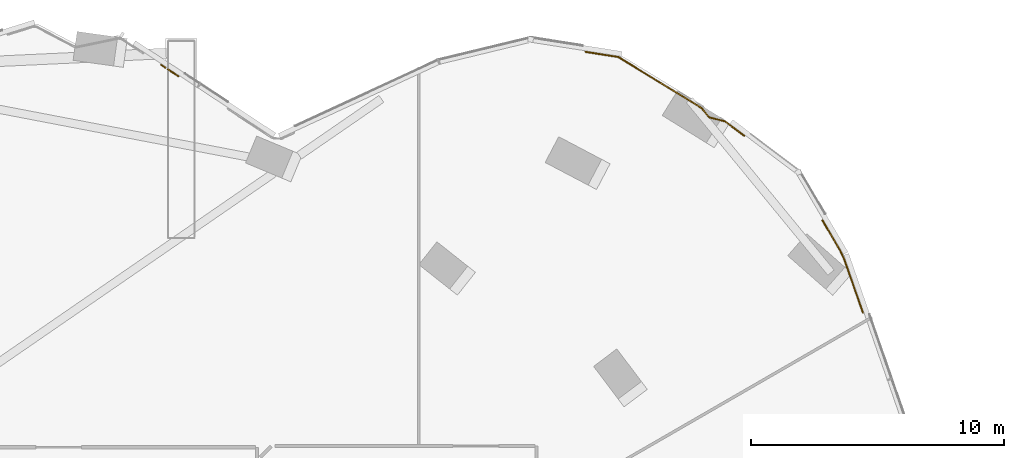
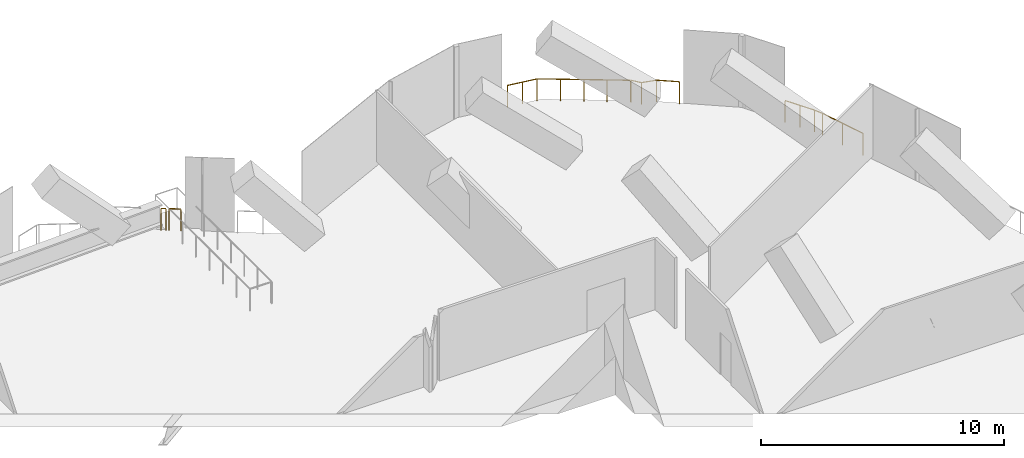
# One storey, part 26 of 26: 6 railings.
"""IFC4 building model written with IfcOpenShell, lengths in metres."""

from ifc_helpers import new_model, si_unit, direction, frame, origin, origin_2d, place, context, subcontext, project, spatial, circle, extrude, material, type_object, element, save


model = new_model("IFC4")

# Units and contexts
model_context = context("Model", 3, precision=1e-05, world=origin(), true_north=direction((0.0, 1.0)))
body_context = subcontext(model_context, "Body", "Model", "MODEL_VIEW")
ifc_project = project(units=[si_unit("LENGTHUNIT", "METRE"), si_unit("AREAUNIT", "SQUARE_METRE"), si_unit("VOLUMEUNIT", "CUBIC_METRE"), si_unit("PLANEANGLEUNIT", "RADIAN"), si_unit("MASSUNIT", "GRAM", prefix="KILO")], contexts=[model_context])

# Site, building, storey
site_placement = place(None, origin())
site = spatial("IfcSite", under=ifc_project, at=site_placement, CompositionType="ELEMENT")
building_placement = place(site_placement, origin())
building = spatial("IfcBuilding", under=site, at=building_placement, Name="Orlundy Tower", CompositionType="ELEMENT")
storey_placement = place(building_placement, frame((0.0, 0.0, 249.5)))
storey = spatial("IfcBuildingStorey", under=building, at=storey_placement, Name="L66", CompositionType="ELEMENT", Elevation=249.5)

# Railings
ifc_material = material(Name="Stainless steel bronze finish", Category="steel")
railing_type = type_object("IfcRailingType", Name="TG1 terrace guard", PredefinedType="GUARDRAIL", material=ifc_material)
railing_1_placement = place(storey_placement, frame((24.590087890625, 31.2412109375, 0.0)))
element("IfcRailing", 1, at=railing_1_placement, inside=storey, type_object=railing_type, Name="Guard TG-L66-E08", PredefinedType="GUARDRAIL", context=body_context, shape_type="SweptSolid", body=[
    extrude(circle(Radius=0.02490234375, at=origin_2d()), frame((0.0, 0.0, 1.09521484375), z_axis=(0.987902775495, -0.155074518118, 0.0), x_axis=(0.155074518118, 0.987902775495, 0.0)), (0.0, 0.0, 1.0), 1.31298828125),
    extrude(circle(Radius=0.02490234375, at=origin_2d()), frame((1.297119140625, -0.20361328125, 1.09521484375), z_axis=(0.852590323736, -0.522579888506, 0.0), x_axis=(0.522579888506, 0.852590323736, 0.0)), (0.0, 0.0, 1.0), 3.852783203125),
    extrude(circle(Radius=0.02001953125, at=origin_2d()), origin(), (0.0, 0.0, 1.0), 1.070068359375),
    extrude(circle(Radius=0.02001953125, at=origin_2d()), frame((0.6484375, -0.101806640625, 0.0)), (0.0, 0.0, 1.0), 1.070068359375),
    extrude(circle(Radius=0.02001953125, at=origin_2d()), frame((1.297119140625, -0.20361328125, 0.0)), (0.0, 0.0, 1.0), 1.070068359375),
    extrude(circle(Radius=0.02001953125, at=origin_2d()), frame((2.118408203125, -0.70703125, 0.0)), (0.0, 0.0, 1.0), 1.070068359375),
    extrude(circle(Radius=0.02001953125, at=origin_2d()), frame((2.939453125, -1.21044921875, 0.0)), (0.0, 0.0, 1.0), 1.070068359375),
    extrude(circle(Radius=0.02001953125, at=origin_2d()), frame((3.7607421875, -1.713623046875, 0.0)), (0.0, 0.0, 1.0), 1.070068359375),
    extrude(circle(Radius=0.02001953125, at=origin_2d()), frame((4.58203125, -2.217041015625, 0.0)), (0.0, 0.0, 1.0), 1.070068359375),
])
railing_2_placement = place(storey_placement, frame((33.961181640625, 24.577880859375, 0.0)))
element("IfcRailing", 2, at=railing_2_placement, inside=storey, type_object=railing_type, Name="Guard TG-L66-E011", PredefinedType="GUARDRAIL", context=body_context, shape_type="SweptSolid", body=[
    extrude(circle(Radius=0.02490234375, at=origin_2d()), frame((0.0, 0.0, 1.09521484375), z_axis=(0.506366442109, -0.862318401929, 0.0), x_axis=(0.862318401929, 0.506366442109, 0.0)), (0.0, 0.0, 1.0), 1.404052734375),
    extrude(circle(Radius=0.02490234375, at=origin_2d()), frame((0.7109375, -1.210693359375, 1.09521484375), z_axis=(0.419732416604, -0.907647893432, 0.0), x_axis=(0.907647893432, 0.419732416604, 0.0)), (0.0, 0.0, 1.0), 0.390380859375),
    extrude(circle(Radius=0.02490234375, at=origin_2d()), frame((0.874755859375, -1.56494140625, 1.09521484375), z_axis=(0.328233513055, -0.944596612797, 0.0), x_axis=(0.944596612797, 0.328233513055, 0.0)), (0.0, 0.0, 1.0), 2.209716796875),
    extrude(circle(Radius=0.02001953125, at=origin_2d()), origin(), (0.0, 0.0, 1.0), 1.070068359375),
    extrude(circle(Radius=0.02001953125, at=origin_2d()), frame((0.35546875, -0.60546875, 0.0)), (0.0, 0.0, 1.0), 1.070068359375),
    extrude(circle(Radius=0.02001953125, at=origin_2d()), frame((0.7109375, -1.210693359375, 0.0)), (0.0, 0.0, 1.0), 1.070068359375),
    extrude(circle(Radius=0.02001953125, at=origin_2d()), frame((0.874755859375, -1.56494140625, 0.0)), (0.0, 0.0, 1.0), 1.070068359375),
    extrude(circle(Radius=0.02001953125, at=origin_2d()), frame((1.2373046875, -2.608642578125, 0.0)), (0.0, 0.0, 1.0), 1.070068359375),
    extrude(circle(Radius=0.02001953125, at=origin_2d()), frame((1.60009765625, -3.65234375, 0.0)), (0.0, 0.0, 1.0), 1.070068359375),
])
railing_3_placement = place(storey_placement, frame((29.476806640625, 28.65087890625, 0.0)))
element("IfcRailing", 3, at=railing_3_placement, inside=storey, type_object=railing_type, Name="Guard TG-L66-E024", PredefinedType="GUARDRAIL", context=body_context, shape_type="SweptSolid", body=[
    extrude(circle(Radius=0.02490234375, at=origin_2d()), frame((0.0, 0.0, 1.09521484375), z_axis=(0.970384353095, -0.241566155055, 0.0), x_axis=(0.241566155055, 0.970384353095, 0.0)), (0.0, 0.0, 1.0), 0.65185546875),
    extrude(circle(Radius=0.02490234375, at=origin_2d()), frame((0.632568359375, -0.157470703125, 1.09521484375), z_axis=(0.797831538558, -0.602880449246, 0.0), x_axis=(0.602880449246, 0.797831538558, 0.0)), (0.0, 0.0, 1.0), 0.947998046875),
    extrude(circle(Radius=0.02001953125, at=origin_2d()), origin(), (0.0, 0.0, 1.0), 1.070068359375),
    extrude(circle(Radius=0.02001953125, at=origin_2d()), frame((0.632568359375, -0.157470703125, 0.0)), (0.0, 0.0, 1.0), 1.070068359375),
    extrude(circle(Radius=0.02001953125, at=origin_2d()), frame((1.388916015625, -0.72900390625, 0.0)), (0.0, 0.0, 1.0), 1.070068359375),
])
railing_4_placement = place(storey_placement, frame((8.07373046875, 30.549072265625, 0.0)))
element("IfcRailing", 4, at=railing_4_placement, inside=storey, type_object=railing_type, Name="Guard TG-L66-E028", PredefinedType="GUARDRAIL", context=body_context, shape_type="SweptSolid", body=[
    extrude(circle(Radius=0.02490234375, at=origin_2d()), frame((0.0, 0.0, 1.09521484375), z_axis=(0.835564571687, -0.549392251986, 0.0), x_axis=(0.549392251986, 0.835564571687, 0.0)), (0.0, 0.0, 1.0), 0.5),
    extrude(circle(Radius=0.02001953125, at=origin_2d()), origin(), (0.0, 0.0, 1.0), 1.070068359375),
    extrude(circle(Radius=0.02001953125, at=origin_2d()), frame((0.417724609375, -0.274658203125, 0.0)), (0.0, 0.0, 1.0), 1.070068359375),
])
railing_5_placement = place(storey_placement, frame((29.1923828125, 29.01171875, 0.0)))
element("IfcRailing", 5, at=railing_5_placement, inside=storey, type_object=railing_type, Name="Guard TG-L66-E029", PredefinedType="GUARDRAIL", context=body_context, shape_type="SweptSolid", body=[
    extrude(circle(Radius=0.02490234375, at=origin_2d()), frame((0.0, 0.0, 1.09521484375), z_axis=(0.619041105323, -0.785358586838, 0.0), x_axis=(0.785358586838, 0.619041105323, 0.0)), (0.0, 0.0, 1.0), 0.45947265625),
    extrude(circle(Radius=0.02001953125, at=origin_2d()), origin(), (0.0, 0.0, 1.0), 1.070068359375),
    extrude(circle(Radius=0.02001953125, at=origin_2d()), frame((0.284423828125, -0.36083984375, 0.0)), (0.0, 0.0, 1.0), 1.070068359375),
])
railing_6_placement = place(storey_placement, frame((7.80224609375, 30.7275390625, 0.0)))
element("IfcRailing", 6, at=railing_6_placement, inside=storey, type_object=railing_type, Name="Guard TG-L66-E030", PredefinedType="GUARDRAIL", context=body_context, shape_type="SweptSolid", body=[
    extrude(circle(Radius=0.02490234375, at=origin_2d()), frame((0.0, 0.0, 1.09521484375), z_axis=(0.835402388674, -0.549638835052, 0.0), x_axis=(0.549638835052, 0.835402388674, 0.0)), (0.0, 0.0, 1.0), 0.20068359375),
    extrude(circle(Radius=0.02001953125, at=origin_2d()), origin(), (0.0, 0.0, 1.0), 1.070068359375),
    extrude(circle(Radius=0.02001953125, at=origin_2d()), frame((0.167724609375, -0.1103515625, 0.0)), (0.0, 0.0, 1.0), 1.070068359375),
])

save(model, "model.ifc")
